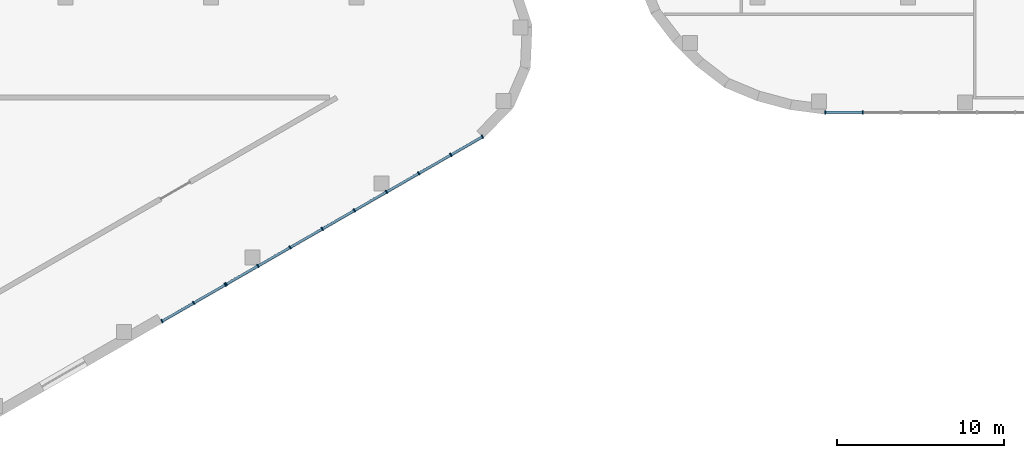
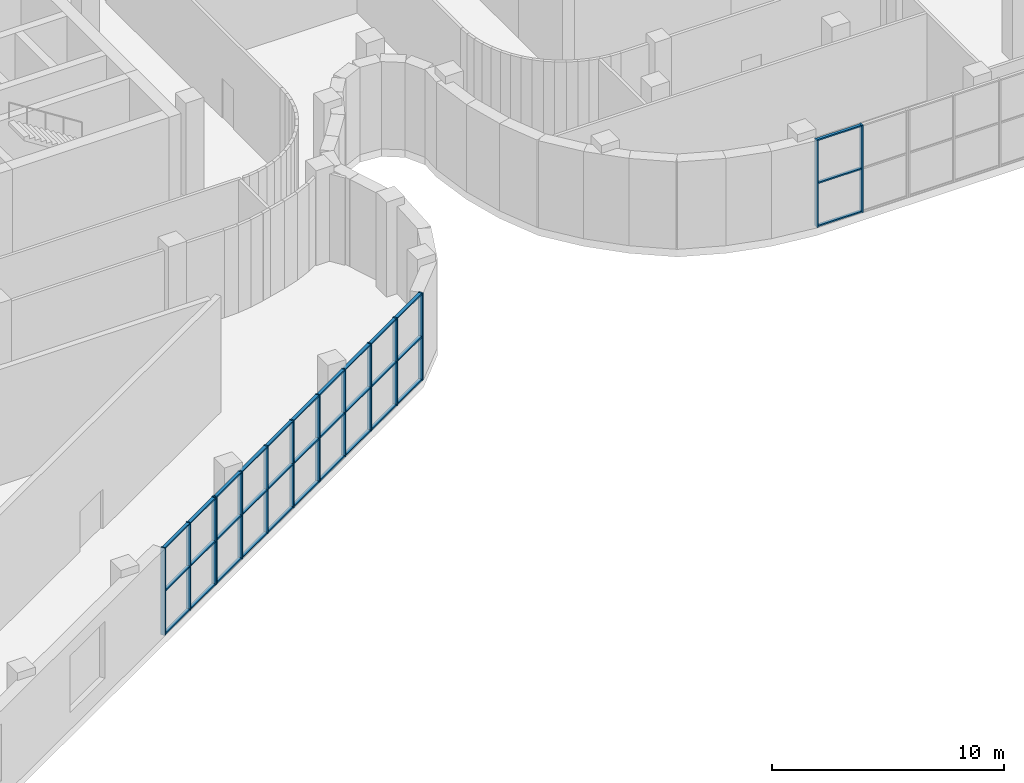
# One storey, part 3 of 24: 47 members, 3 elements without a shape of their own.
"""IFC4 building model written with IfcOpenShell, lengths in metres."""

from ifc_helpers import new_model, si_unit, direction, frame, origin, origin_2d, place, context, subcontext, project, spatial, rectangle, extrude, material, material_profile, profile_set, type_object, element, aggregate, save


model = new_model("IFC4")

# Units and contexts
model_context = context("Model", 3, precision=1e-05, world=origin(), true_north=direction((0.0, 1.0)))
body_context = subcontext(model_context, "Body", "Model", "MODEL_VIEW")
ifc_project = project(units=[si_unit("LENGTHUNIT", "METRE"), si_unit("AREAUNIT", "SQUARE_METRE"), si_unit("VOLUMEUNIT", "CUBIC_METRE"), si_unit("PLANEANGLEUNIT", "RADIAN"), si_unit("MASSUNIT", "GRAM", prefix="KILO")], contexts=[model_context])

# Site, building, storey
site_placement = place(None, origin())
site = spatial("IfcSite", under=ifc_project, at=site_placement, CompositionType="ELEMENT")
building_placement = place(site_placement, origin())
building = spatial("IfcBuilding", under=site, at=building_placement, Name="Skarvind Civic Tower", CompositionType="ELEMENT")
storey_placement = place(building_placement, frame((0.0, 0.0, 12.5)))
storey = spatial("IfcBuildingStorey", under=building, at=storey_placement, Name="L02", CompositionType="ELEMENT", Elevation=12.5)

# Curtain wall, members
ifc_material_1 = material(Name="Aluminium alloy 6063 and laminated glass", Category="aluminium")
curtain_wall_type_1 = type_object("IfcCurtainWallType", Name="CW2 TOWER ENTRANCE LOBBY GLAZING", PredefinedType="NOTDEFINED", material=ifc_material_1)
curtain_wall_1_placement = place(storey_placement, origin())
curtain_wall_1 = element("IfcCurtainWall", 1, at=curtain_wall_1_placement, inside=storey, type_object=curtain_wall_type_1, Name="TOWER ENTRANCE LOBBY GLAZING", PredefinedType="NOTDEFINED")
ifc_material_2 = material(Name="Aluminium alloy 6063", Category="aluminium")
ifc_material_profile_1 = material_profile(ifc_material_2, rectangle(XDim=0.219970703125, YDim=0.070068359375, at=origin_2d()), Name="AL 70x220")
ifc_profile_set_1 = profile_set([ifc_material_profile_1], Name="Aluminium alloy 6063")
member_type_1 = type_object("IfcMemberType", Name="CW2 MULLION 70x220", PredefinedType="MULLION", material=ifc_profile_set_1)
member_1_placement = place(storey_placement, frame((110.50146484375, 100.65576171875, 0.0), z_axis=(0.0, 0.0, 1.0), x_axis=(0.498825416846, -0.866702488463, 0.0)))
member_1 = element("IfcMember", 2, at=member_1_placement, type_object=member_type_1, Name="CW2 mullion 1", PredefinedType="MULLION", context=body_context, shape_type="SweptSolid", body=[
    extrude(rectangle(XDim=0.219970703125, YDim=0.070068359375, at=origin_2d()), origin(), (0.0, 0.0, 1.0), 4.60009765625),
])
member_2_placement = place(storey_placement, frame((108.60400390625, 99.563720703125, 0.0), z_axis=(0.0, 0.0, 1.0), x_axis=(0.498825416846, -0.866702488463, 0.0)))
member_2 = element("IfcMember", 3, at=member_2_placement, type_object=member_type_1, Name="CW2 mullion 2", PredefinedType="MULLION", context=body_context, shape_type="SweptSolid", body=[
    extrude(rectangle(XDim=0.219970703125, YDim=0.070068359375, at=origin_2d()), origin(), (0.0, 0.0, 1.0), 4.60009765625),
])
member_3_placement = place(storey_placement, frame((106.67626953125, 98.4541015625, 0.0), z_axis=(0.0, 0.0, 1.0), x_axis=(0.498825416846, -0.866702488463, 0.0)))
member_3 = element("IfcMember", 4, at=member_3_placement, type_object=member_type_1, Name="CW2 mullion 3", PredefinedType="MULLION", context=body_context, shape_type="SweptSolid", body=[
    extrude(rectangle(XDim=0.219970703125, YDim=0.070068359375, at=origin_2d()), origin(), (0.0, 0.0, 1.0), 4.60009765625),
])
member_4_placement = place(storey_placement, frame((104.748291015625, 97.3447265625, 0.0), z_axis=(0.0, 0.0, 1.0), x_axis=(0.498825416846, -0.866702488463, 0.0)))
member_4 = element("IfcMember", 5, at=member_4_placement, type_object=member_type_1, Name="CW2 mullion 4", PredefinedType="MULLION", context=body_context, shape_type="SweptSolid", body=[
    extrude(rectangle(XDim=0.219970703125, YDim=0.070068359375, at=origin_2d()), origin(), (0.0, 0.0, 1.0), 4.60009765625),
])
member_5_placement = place(storey_placement, frame((102.820556640625, 96.235107421875, 0.0), z_axis=(0.0, 0.0, 1.0), x_axis=(0.498825416846, -0.866702488463, 0.0)))
member_5 = element("IfcMember", 6, at=member_5_placement, type_object=member_type_1, Name="CW2 mullion 5", PredefinedType="MULLION", context=body_context, shape_type="SweptSolid", body=[
    extrude(rectangle(XDim=0.219970703125, YDim=0.070068359375, at=origin_2d()), origin(), (0.0, 0.0, 1.0), 4.60009765625),
])
member_6_placement = place(storey_placement, frame((100.892578125, 95.12548828125, 0.0), z_axis=(0.0, 0.0, 1.0), x_axis=(0.498825416846, -0.866702488463, 0.0)))
member_6 = element("IfcMember", 7, at=member_6_placement, type_object=member_type_1, Name="CW2 mullion 6", PredefinedType="MULLION", context=body_context, shape_type="SweptSolid", body=[
    extrude(rectangle(XDim=0.219970703125, YDim=0.070068359375, at=origin_2d()), origin(), (0.0, 0.0, 1.0), 4.60009765625),
])
member_7_placement = place(storey_placement, frame((98.96484375, 94.015869140625, 0.0), z_axis=(0.0, 0.0, 1.0), x_axis=(0.498825416846, -0.866702488463, 0.0)))
member_7 = element("IfcMember", 8, at=member_7_placement, type_object=member_type_1, Name="CW2 mullion 7", PredefinedType="MULLION", context=body_context, shape_type="SweptSolid", body=[
    extrude(rectangle(XDim=0.219970703125, YDim=0.070068359375, at=origin_2d()), origin(), (0.0, 0.0, 1.0), 4.60009765625),
])
member_8_placement = place(storey_placement, frame((97.036865234375, 92.90625, 0.0), z_axis=(0.0, 0.0, 1.0), x_axis=(0.498825416846, -0.866702488463, 0.0)))
member_8 = element("IfcMember", 9, at=member_8_placement, type_object=member_type_1, Name="CW2 mullion 8", PredefinedType="MULLION", context=body_context, shape_type="SweptSolid", body=[
    extrude(rectangle(XDim=0.219970703125, YDim=0.070068359375, at=origin_2d()), origin(), (0.0, 0.0, 1.0), 4.60009765625),
])
member_9_placement = place(storey_placement, frame((95.139404296875, 91.814208984375, 0.0), z_axis=(0.0, 0.0, 1.0), x_axis=(0.498825416846, -0.866702488463, 0.0)))
member_9 = element("IfcMember", 10, at=member_9_placement, type_object=member_type_1, Name="CW2 mullion 9", PredefinedType="MULLION", context=body_context, shape_type="SweptSolid", body=[
    extrude(rectangle(XDim=0.219970703125, YDim=0.070068359375, at=origin_2d()), origin(), (0.0, 0.0, 1.0), 4.60009765625),
])

curtain_wall_2_placement = place(storey_placement, origin())
curtain_wall_2 = element("IfcCurtainWall", 11, at=curtain_wall_2_placement, inside=storey, type_object=curtain_wall_type_1, Name="TOWER ENTRANCE LOBBY GLAZING", PredefinedType="NOTDEFINED")
member_10_placement = place(storey_placement, frame((95.078857421875, 91.779296875, 0.0), z_axis=(0.0, 0.0, 1.0), x_axis=(0.498838080597, -0.866695199794, 0.0)))
member_10 = element("IfcMember", 12, at=member_10_placement, type_object=member_type_1, Name="CW2 mullion 1", PredefinedType="MULLION", context=body_context, shape_type="SweptSolid", body=[
    extrude(rectangle(XDim=0.219970703125, YDim=0.070068359375, at=origin_2d()), origin(), (0.0, 0.0, 1.0), 4.60009765625),
])
member_11_placement = place(storey_placement, frame((93.18115234375, 90.687255859375, 0.0), z_axis=(0.0, 0.0, 1.0), x_axis=(0.498838080597, -0.866695199794, 0.0)))
member_11 = element("IfcMember", 13, at=member_11_placement, type_object=member_type_1, Name="CW2 mullion 2", PredefinedType="MULLION", context=body_context, shape_type="SweptSolid", body=[
    extrude(rectangle(XDim=0.219970703125, YDim=0.070068359375, at=origin_2d()), origin(), (0.0, 0.0, 1.0), 4.60009765625),
])
member_12_placement = place(storey_placement, frame((91.28369140625, 89.594970703125, 0.0), z_axis=(0.0, 0.0, 1.0), x_axis=(0.498838080597, -0.866695199794, 0.0)))
member_12 = element("IfcMember", 14, at=member_12_placement, type_object=member_type_1, Name="CW2 mullion 3", PredefinedType="MULLION", context=body_context, shape_type="SweptSolid", body=[
    extrude(rectangle(XDim=0.219970703125, YDim=0.070068359375, at=origin_2d()), origin(), (0.0, 0.0, 1.0), 4.60009765625),
])

# Member
ifc_material_profile_2 = material_profile(ifc_material_2, rectangle(XDim=0.159912109375, YDim=0.070068359375, at=origin_2d()), Name="AL 70x160")
ifc_profile_set_2 = profile_set([ifc_material_profile_2], Name="Aluminium alloy 6063")
member_type_2 = type_object("IfcMemberType", Name="CW2 TRANSOM 70x160", PredefinedType="USERDEFINED", material=ifc_profile_set_2)
member_13_placement = place(storey_placement, frame((110.47119140625, 100.638427734375, 0.034912109375), z_axis=(-0.866722062826, -0.498791405109, 0.0), x_axis=(0.498791405109, -0.866722062826, 0.0)))
member_13 = element("IfcMember", 15, at=member_13_placement, type_object=member_type_2, Name="CW2 transom 1.1", ObjectType="TRANSOM", PredefinedType="USERDEFINED", context=body_context, shape_type="SweptSolid", body=[
    extrude(rectangle(XDim=0.159912109375, YDim=0.070068359375, at=origin_2d()), origin(), (0.0, 0.0, 1.0), 2.119384765625),
])

member_14_placement = place(storey_placement, frame((110.47119140625, 100.638427734375, 2.300048828125), z_axis=(-0.866722062826, -0.498791405109, 0.0), x_axis=(0.498791405109, -0.866722062826, 0.0)))
member_14 = element("IfcMember", 16, at=member_14_placement, type_object=member_type_2, Name="CW2 transom 1.2", ObjectType="TRANSOM", PredefinedType="USERDEFINED", context=body_context, shape_type="SweptSolid", body=[
    extrude(rectangle(XDim=0.159912109375, YDim=0.070068359375, at=origin_2d()), origin(), (0.0, 0.0, 1.0), 2.119384765625),
])

member_15_placement = place(storey_placement, frame((110.47119140625, 100.638427734375, 4.56494140625), z_axis=(-0.866722062826, -0.498791405109, 0.0), x_axis=(0.498791405109, -0.866722062826, 0.0)))
member_15 = element("IfcMember", 17, at=member_15_placement, type_object=member_type_2, Name="CW2 transom 1.3", ObjectType="TRANSOM", PredefinedType="USERDEFINED", context=body_context, shape_type="SweptSolid", body=[
    extrude(rectangle(XDim=0.159912109375, YDim=0.070068359375, at=origin_2d()), origin(), (0.0, 0.0, 1.0), 2.119384765625),
])

member_16_placement = place(storey_placement, frame((108.57373046875, 99.54638671875, 0.034912109375), z_axis=(-0.866690754889, -0.498845803219, 0.0), x_axis=(0.498845803219, -0.866690754889, 0.0)))
member_16 = element("IfcMember", 18, at=member_16_placement, type_object=member_type_2, Name="CW2 transom 2.1", ObjectType="TRANSOM", PredefinedType="USERDEFINED", context=body_context, shape_type="SweptSolid", body=[
    extrude(rectangle(XDim=0.159912109375, YDim=0.070068359375, at=origin_2d()), origin(), (0.0, 0.0, 1.0), 2.154296875),
])

member_17_placement = place(storey_placement, frame((108.57373046875, 99.54638671875, 2.300048828125), z_axis=(-0.866690754889, -0.498845803219, 0.0), x_axis=(0.498845803219, -0.866690754889, 0.0)))
member_17 = element("IfcMember", 19, at=member_17_placement, type_object=member_type_2, Name="CW2 transom 2.2", ObjectType="TRANSOM", PredefinedType="USERDEFINED", context=body_context, shape_type="SweptSolid", body=[
    extrude(rectangle(XDim=0.159912109375, YDim=0.070068359375, at=origin_2d()), origin(), (0.0, 0.0, 1.0), 2.154296875),
])

member_18_placement = place(storey_placement, frame((108.57373046875, 99.54638671875, 4.56494140625), z_axis=(-0.866690754889, -0.498845803219, 0.0), x_axis=(0.498845803219, -0.866690754889, 0.0)))
member_18 = element("IfcMember", 20, at=member_18_placement, type_object=member_type_2, Name="CW2 transom 2.3", ObjectType="TRANSOM", PredefinedType="USERDEFINED", context=body_context, shape_type="SweptSolid", body=[
    extrude(rectangle(XDim=0.159912109375, YDim=0.070068359375, at=origin_2d()), origin(), (0.0, 0.0, 1.0), 2.154296875),
])

member_19_placement = place(storey_placement, frame((106.645751953125, 98.436767578125, 0.034912109375), z_axis=(-0.866690754889, -0.498845803219, 0.0), x_axis=(0.498845803219, -0.866690754889, 0.0)))
member_19 = element("IfcMember", 21, at=member_19_placement, type_object=member_type_2, Name="CW2 transom 3.1", ObjectType="TRANSOM", PredefinedType="USERDEFINED", context=body_context, shape_type="SweptSolid", body=[
    extrude(rectangle(XDim=0.159912109375, YDim=0.070068359375, at=origin_2d()), origin(), (0.0, 0.0, 1.0), 2.154296875),
])

member_20_placement = place(storey_placement, frame((106.645751953125, 98.436767578125, 2.300048828125), z_axis=(-0.866690754889, -0.498845803219, 0.0), x_axis=(0.498845803219, -0.866690754889, 0.0)))
member_20 = element("IfcMember", 22, at=member_20_placement, type_object=member_type_2, Name="CW2 transom 3.2", ObjectType="TRANSOM", PredefinedType="USERDEFINED", context=body_context, shape_type="SweptSolid", body=[
    extrude(rectangle(XDim=0.159912109375, YDim=0.070068359375, at=origin_2d()), origin(), (0.0, 0.0, 1.0), 2.154296875),
])

member_21_placement = place(storey_placement, frame((106.645751953125, 98.436767578125, 4.56494140625), z_axis=(-0.866690754889, -0.498845803219, 0.0), x_axis=(0.498845803219, -0.866690754889, 0.0)))
member_21 = element("IfcMember", 23, at=member_21_placement, type_object=member_type_2, Name="CW2 transom 3.3", ObjectType="TRANSOM", PredefinedType="USERDEFINED", context=body_context, shape_type="SweptSolid", body=[
    extrude(rectangle(XDim=0.159912109375, YDim=0.070068359375, at=origin_2d()), origin(), (0.0, 0.0, 1.0), 2.154296875),
])

member_22_placement = place(storey_placement, frame((104.718017578125, 97.3271484375, 0.034912109375), z_axis=(-0.866690754889, -0.498845803219, 0.0), x_axis=(0.498845803219, -0.866690754889, 0.0)))
member_22 = element("IfcMember", 24, at=member_22_placement, type_object=member_type_2, Name="CW2 transom 4.1", ObjectType="TRANSOM", PredefinedType="USERDEFINED", context=body_context, shape_type="SweptSolid", body=[
    extrude(rectangle(XDim=0.159912109375, YDim=0.070068359375, at=origin_2d()), origin(), (0.0, 0.0, 1.0), 2.154296875),
])

member_23_placement = place(storey_placement, frame((104.718017578125, 97.3271484375, 2.300048828125), z_axis=(-0.866690754889, -0.498845803219, 0.0), x_axis=(0.498845803219, -0.866690754889, 0.0)))
member_23 = element("IfcMember", 25, at=member_23_placement, type_object=member_type_2, Name="CW2 transom 4.2", ObjectType="TRANSOM", PredefinedType="USERDEFINED", context=body_context, shape_type="SweptSolid", body=[
    extrude(rectangle(XDim=0.159912109375, YDim=0.070068359375, at=origin_2d()), origin(), (0.0, 0.0, 1.0), 2.154296875),
])

member_24_placement = place(storey_placement, frame((104.718017578125, 97.3271484375, 4.56494140625), z_axis=(-0.866690754889, -0.498845803219, 0.0), x_axis=(0.498845803219, -0.866690754889, 0.0)))
member_24 = element("IfcMember", 26, at=member_24_placement, type_object=member_type_2, Name="CW2 transom 4.3", ObjectType="TRANSOM", PredefinedType="USERDEFINED", context=body_context, shape_type="SweptSolid", body=[
    extrude(rectangle(XDim=0.159912109375, YDim=0.070068359375, at=origin_2d()), origin(), (0.0, 0.0, 1.0), 2.154296875),
])

member_25_placement = place(storey_placement, frame((102.790283203125, 96.217529296875, 0.034912109375), z_axis=(-0.866739747915, -0.498760673454, 0.0), x_axis=(0.498760673454, -0.866739747915, 0.0)))
member_25 = element("IfcMember", 27, at=member_25_placement, type_object=member_type_2, Name="CW2 transom 5.1", ObjectType="TRANSOM", PredefinedType="USERDEFINED", context=body_context, shape_type="SweptSolid", body=[
    extrude(rectangle(XDim=0.159912109375, YDim=0.070068359375, at=origin_2d()), origin(), (0.0, 0.0, 1.0), 2.154296875),
])

member_26_placement = place(storey_placement, frame((102.790283203125, 96.217529296875, 2.300048828125), z_axis=(-0.866739747915, -0.498760673454, 0.0), x_axis=(0.498760673454, -0.866739747915, 0.0)))
member_26 = element("IfcMember", 28, at=member_26_placement, type_object=member_type_2, Name="CW2 transom 5.2", ObjectType="TRANSOM", PredefinedType="USERDEFINED", context=body_context, shape_type="SweptSolid", body=[
    extrude(rectangle(XDim=0.159912109375, YDim=0.070068359375, at=origin_2d()), origin(), (0.0, 0.0, 1.0), 2.154296875),
])

member_27_placement = place(storey_placement, frame((102.790283203125, 96.217529296875, 4.56494140625), z_axis=(-0.866739747915, -0.498760673454, 0.0), x_axis=(0.498760673454, -0.866739747915, 0.0)))
member_27 = element("IfcMember", 29, at=member_27_placement, type_object=member_type_2, Name="CW2 transom 5.3", ObjectType="TRANSOM", PredefinedType="USERDEFINED", context=body_context, shape_type="SweptSolid", body=[
    extrude(rectangle(XDim=0.159912109375, YDim=0.070068359375, at=origin_2d()), origin(), (0.0, 0.0, 1.0), 2.154296875),
])

member_28_placement = place(storey_placement, frame((100.8623046875, 95.10791015625, 0.034912109375), z_axis=(-0.866739747915, -0.498760673454, 0.0), x_axis=(0.498760673454, -0.866739747915, 0.0)))
member_28 = element("IfcMember", 30, at=member_28_placement, type_object=member_type_2, Name="CW2 transom 6.1", ObjectType="TRANSOM", PredefinedType="USERDEFINED", context=body_context, shape_type="SweptSolid", body=[
    extrude(rectangle(XDim=0.159912109375, YDim=0.070068359375, at=origin_2d()), origin(), (0.0, 0.0, 1.0), 2.154296875),
])

member_29_placement = place(storey_placement, frame((100.8623046875, 95.10791015625, 2.300048828125), z_axis=(-0.866739747915, -0.498760673454, 0.0), x_axis=(0.498760673454, -0.866739747915, 0.0)))
member_29 = element("IfcMember", 31, at=member_29_placement, type_object=member_type_2, Name="CW2 transom 6.2", ObjectType="TRANSOM", PredefinedType="USERDEFINED", context=body_context, shape_type="SweptSolid", body=[
    extrude(rectangle(XDim=0.159912109375, YDim=0.070068359375, at=origin_2d()), origin(), (0.0, 0.0, 1.0), 2.154296875),
])

member_30_placement = place(storey_placement, frame((100.8623046875, 95.10791015625, 4.56494140625), z_axis=(-0.866739747915, -0.498760673454, 0.0), x_axis=(0.498760673454, -0.866739747915, 0.0)))
member_30 = element("IfcMember", 32, at=member_30_placement, type_object=member_type_2, Name="CW2 transom 6.3", ObjectType="TRANSOM", PredefinedType="USERDEFINED", context=body_context, shape_type="SweptSolid", body=[
    extrude(rectangle(XDim=0.159912109375, YDim=0.070068359375, at=origin_2d()), origin(), (0.0, 0.0, 1.0), 2.154296875),
])

member_31_placement = place(storey_placement, frame((98.9345703125, 93.99853515625, 0.034912109375), z_axis=(-0.866690754889, -0.498845803219, 0.0), x_axis=(0.498845803219, -0.866690754889, 0.0)))
member_31 = element("IfcMember", 33, at=member_31_placement, type_object=member_type_2, Name="CW2 transom 7.1", ObjectType="TRANSOM", PredefinedType="USERDEFINED", context=body_context, shape_type="SweptSolid", body=[
    extrude(rectangle(XDim=0.159912109375, YDim=0.070068359375, at=origin_2d()), origin(), (0.0, 0.0, 1.0), 2.154296875),
])

member_32_placement = place(storey_placement, frame((98.9345703125, 93.99853515625, 2.300048828125), z_axis=(-0.866690754889, -0.498845803219, 0.0), x_axis=(0.498845803219, -0.866690754889, 0.0)))
member_32 = element("IfcMember", 34, at=member_32_placement, type_object=member_type_2, Name="CW2 transom 7.2", ObjectType="TRANSOM", PredefinedType="USERDEFINED", context=body_context, shape_type="SweptSolid", body=[
    extrude(rectangle(XDim=0.159912109375, YDim=0.070068359375, at=origin_2d()), origin(), (0.0, 0.0, 1.0), 2.154296875),
])

member_33_placement = place(storey_placement, frame((98.9345703125, 93.99853515625, 4.56494140625), z_axis=(-0.866690754889, -0.498845803219, 0.0), x_axis=(0.498845803219, -0.866690754889, 0.0)))
member_33 = element("IfcMember", 35, at=member_33_placement, type_object=member_type_2, Name="CW2 transom 7.3", ObjectType="TRANSOM", PredefinedType="USERDEFINED", context=body_context, shape_type="SweptSolid", body=[
    extrude(rectangle(XDim=0.159912109375, YDim=0.070068359375, at=origin_2d()), origin(), (0.0, 0.0, 1.0), 2.154296875),
])

member_34_placement = place(storey_placement, frame((97.006591796875, 92.888916015625, 0.034912109375), z_axis=(-0.866722062826, -0.498791405109, 0.0), x_axis=(0.498791405109, -0.866722062826, 0.0)))
member_34 = element("IfcMember", 36, at=member_34_placement, type_object=member_type_2, Name="CW2 transom 8.1", ObjectType="TRANSOM", PredefinedType="USERDEFINED", context=body_context, shape_type="SweptSolid", body=[
    extrude(rectangle(XDim=0.159912109375, YDim=0.070068359375, at=origin_2d()), origin(), (0.0, 0.0, 1.0), 2.119384765625),
])

member_35_placement = place(storey_placement, frame((97.006591796875, 92.888916015625, 2.300048828125), z_axis=(-0.866722062826, -0.498791405109, 0.0), x_axis=(0.498791405109, -0.866722062826, 0.0)))
member_35 = element("IfcMember", 37, at=member_35_placement, type_object=member_type_2, Name="CW2 transom 8.2", ObjectType="TRANSOM", PredefinedType="USERDEFINED", context=body_context, shape_type="SweptSolid", body=[
    extrude(rectangle(XDim=0.159912109375, YDim=0.070068359375, at=origin_2d()), origin(), (0.0, 0.0, 1.0), 2.119384765625),
])

member_36_placement = place(storey_placement, frame((97.006591796875, 92.888916015625, 4.56494140625), z_axis=(-0.866722062826, -0.498791405109, 0.0), x_axis=(0.498791405109, -0.866722062826, 0.0)))
member_36 = element("IfcMember", 38, at=member_36_placement, type_object=member_type_2, Name="CW2 transom 8.3", ObjectType="TRANSOM", PredefinedType="USERDEFINED", context=body_context, shape_type="SweptSolid", body=[
    extrude(rectangle(XDim=0.159912109375, YDim=0.070068359375, at=origin_2d()), origin(), (0.0, 0.0, 1.0), 2.119384765625),
])

aggregate(curtain_wall_1, [member_1, member_2, member_3, member_4, member_5, member_6, member_7, member_8, member_9, member_13, member_14, member_15, member_16, member_17, member_18, member_19, member_20, member_21, member_22, member_23, member_24, member_25, member_26, member_27, member_28, member_29, member_30, member_31, member_32, member_33, member_34, member_35, member_36])

member_37_placement = place(storey_placement, frame((95.04833984375, 91.761962890625, 0.034912109375), z_axis=(-0.866643589192, -0.498927739571, 0.0), x_axis=(0.498927739571, -0.866643589192, 0.0)))
member_37 = element("IfcMember", 39, at=member_37_placement, type_object=member_type_2, Name="CW2 transom 1.1", ObjectType="TRANSOM", PredefinedType="USERDEFINED", context=body_context, shape_type="SweptSolid", body=[
    extrude(rectangle(XDim=0.159912109375, YDim=0.070068359375, at=origin_2d()), origin(), (0.0, 0.0, 1.0), 2.119384765625),
])

member_38_placement = place(storey_placement, frame((95.04833984375, 91.761962890625, 2.300048828125), z_axis=(-0.866643589192, -0.498927739571, 0.0), x_axis=(0.498927739571, -0.866643589192, 0.0)))
member_38 = element("IfcMember", 40, at=member_38_placement, type_object=member_type_2, Name="CW2 transom 1.2", ObjectType="TRANSOM", PredefinedType="USERDEFINED", context=body_context, shape_type="SweptSolid", body=[
    extrude(rectangle(XDim=0.159912109375, YDim=0.070068359375, at=origin_2d()), origin(), (0.0, 0.0, 1.0), 2.119384765625),
])

member_39_placement = place(storey_placement, frame((95.04833984375, 91.761962890625, 4.56494140625), z_axis=(-0.866643589192, -0.498927739571, 0.0), x_axis=(0.498927739571, -0.866643589192, 0.0)))
member_39 = element("IfcMember", 41, at=member_39_placement, type_object=member_type_2, Name="CW2 transom 1.3", ObjectType="TRANSOM", PredefinedType="USERDEFINED", context=body_context, shape_type="SweptSolid", body=[
    extrude(rectangle(XDim=0.159912109375, YDim=0.070068359375, at=origin_2d()), origin(), (0.0, 0.0, 1.0), 2.119384765625),
])

member_40_placement = place(storey_placement, frame((93.15087890625, 90.669677734375, 0.034912109375), z_axis=(-0.866722062826, -0.498791405109, 0.0), x_axis=(0.498791405109, -0.866722062826, 0.0)))
member_40 = element("IfcMember", 42, at=member_40_placement, type_object=member_type_2, Name="CW2 transom 2.1", ObjectType="TRANSOM", PredefinedType="USERDEFINED", context=body_context, shape_type="SweptSolid", body=[
    extrude(rectangle(XDim=0.159912109375, YDim=0.070068359375, at=origin_2d()), origin(), (0.0, 0.0, 1.0), 2.119384765625),
])

member_41_placement = place(storey_placement, frame((93.15087890625, 90.669677734375, 2.300048828125), z_axis=(-0.866722062826, -0.498791405109, 0.0), x_axis=(0.498791405109, -0.866722062826, 0.0)))
member_41 = element("IfcMember", 43, at=member_41_placement, type_object=member_type_2, Name="CW2 transom 2.2", ObjectType="TRANSOM", PredefinedType="USERDEFINED", context=body_context, shape_type="SweptSolid", body=[
    extrude(rectangle(XDim=0.159912109375, YDim=0.070068359375, at=origin_2d()), origin(), (0.0, 0.0, 1.0), 2.119384765625),
])

member_42_placement = place(storey_placement, frame((93.15087890625, 90.669677734375, 4.56494140625), z_axis=(-0.866722062826, -0.498791405109, 0.0), x_axis=(0.498791405109, -0.866722062826, 0.0)))
member_42 = element("IfcMember", 44, at=member_42_placement, type_object=member_type_2, Name="CW2 transom 2.3", ObjectType="TRANSOM", PredefinedType="USERDEFINED", context=body_context, shape_type="SweptSolid", body=[
    extrude(rectangle(XDim=0.159912109375, YDim=0.070068359375, at=origin_2d()), origin(), (0.0, 0.0, 1.0), 2.119384765625),
])

aggregate(curtain_wall_2, [member_10, member_11, member_12, member_37, member_38, member_39, member_40, member_41, member_42])

# Curtain wall, members
curtain_wall_type_2 = type_object("IfcCurtainWallType", Name="CW6 COMPANION TOWER LOBBY GLAZING", PredefinedType="NOTDEFINED", material=ifc_material_1)
curtain_wall_3_placement = place(storey_placement, origin())
curtain_wall_3 = element("IfcCurtainWall", 45, at=curtain_wall_3_placement, inside=storey, type_object=curtain_wall_type_2, Name="COMPANION TOWER LOBBY GLAZING", PredefinedType="NOTDEFINED")
ifc_material_profile_3 = material_profile(ifc_material_2, rectangle(XDim=0.219970703125, YDim=0.070068359375, at=origin_2d()), Name="AL 70x220")
ifc_profile_set_3 = profile_set([ifc_material_profile_3], Name="Aluminium alloy 6063")
member_type_3 = type_object("IfcMemberType", Name="CW6 MULLION 70x220", PredefinedType="MULLION", material=ifc_profile_set_3)
member_43_placement = place(storey_placement, frame((133.304443359375, 102.110107421875, 0.0), z_axis=(0.0, 0.0, 1.0), x_axis=(0.0, -1.0, 0.0)))
member_43 = element("IfcMember", 46, at=member_43_placement, type_object=member_type_3, Name="CW6 mullion 2", PredefinedType="MULLION", context=body_context, shape_type="SweptSolid", body=[
    extrude(rectangle(XDim=0.219970703125, YDim=0.070068359375, at=origin_2d()), origin(), (0.0, 0.0, 1.0), 4.60009765625),
])
member_44_placement = place(storey_placement, frame((131.056884765625, 102.110107421875, 0.0), z_axis=(0.0, 0.0, 1.0), x_axis=(0.0, -1.0, 0.0)))
member_44 = element("IfcMember", 47, at=member_44_placement, type_object=member_type_3, Name="CW6 mullion 3", PredefinedType="MULLION", context=body_context, shape_type="SweptSolid", body=[
    extrude(rectangle(XDim=0.219970703125, YDim=0.070068359375, at=origin_2d()), origin(), (0.0, 0.0, 1.0), 4.60009765625),
])
ifc_material_profile_4 = material_profile(ifc_material_2, rectangle(XDim=0.139892578125, YDim=0.070068359375, at=origin_2d()), Name="AL 70x140")
ifc_profile_set_4 = profile_set([ifc_material_profile_4], Name="Aluminium alloy 6063")
member_type_4 = type_object("IfcMemberType", Name="CW6 TRANSOM 70x140", PredefinedType="USERDEFINED", material=ifc_profile_set_4)
member_45_placement = place(storey_placement, frame((133.269287109375, 102.110107421875, 0.034912109375), z_axis=(-1.0, 0.0, 0.0), x_axis=(0.0, -1.0, 0.0)))
member_45 = element("IfcMember", 48, at=member_45_placement, type_object=member_type_4, Name="CW6 transom 2.1", ObjectType="TRANSOM", PredefinedType="USERDEFINED", context=body_context, shape_type="SweptSolid", body=[
    extrude(rectangle(XDim=0.139892578125, YDim=0.070068359375, at=origin_2d()), origin(), (0.0, 0.0, 1.0), 2.177490234375),
])
member_46_placement = place(storey_placement, frame((133.269287109375, 102.110107421875, 2.300048828125), z_axis=(-1.0, 0.0, 0.0), x_axis=(0.0, -1.0, 0.0)))
member_46 = element("IfcMember", 49, at=member_46_placement, type_object=member_type_4, Name="CW6 transom 2.2", ObjectType="TRANSOM", PredefinedType="USERDEFINED", context=body_context, shape_type="SweptSolid", body=[
    extrude(rectangle(XDim=0.139892578125, YDim=0.070068359375, at=origin_2d()), origin(), (0.0, 0.0, 1.0), 2.177490234375),
])
member_47_placement = place(storey_placement, frame((133.269287109375, 102.110107421875, 4.56494140625), z_axis=(-1.0, 0.0, 0.0), x_axis=(0.0, -1.0, 0.0)))
member_47 = element("IfcMember", 50, at=member_47_placement, type_object=member_type_4, Name="CW6 transom 2.3", ObjectType="TRANSOM", PredefinedType="USERDEFINED", context=body_context, shape_type="SweptSolid", body=[
    extrude(rectangle(XDim=0.139892578125, YDim=0.070068359375, at=origin_2d()), origin(), (0.0, 0.0, 1.0), 2.177490234375),
])
aggregate(curtain_wall_3, [member_43, member_44, member_45, member_46, member_47])

save(model, "model.ifc")
